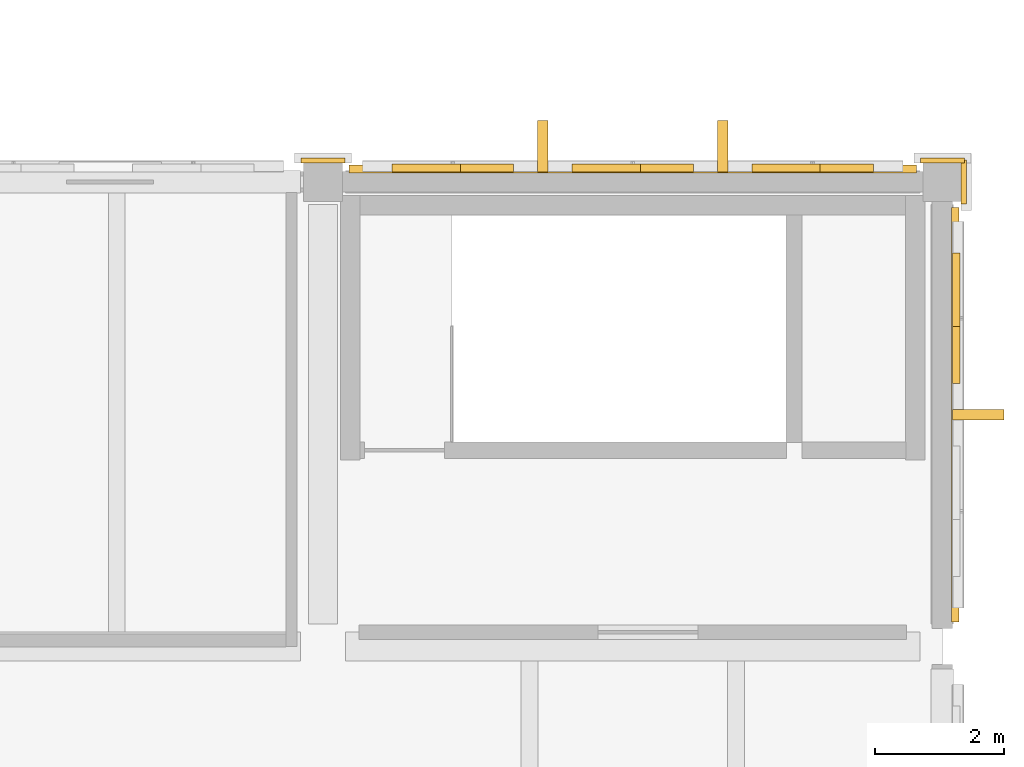
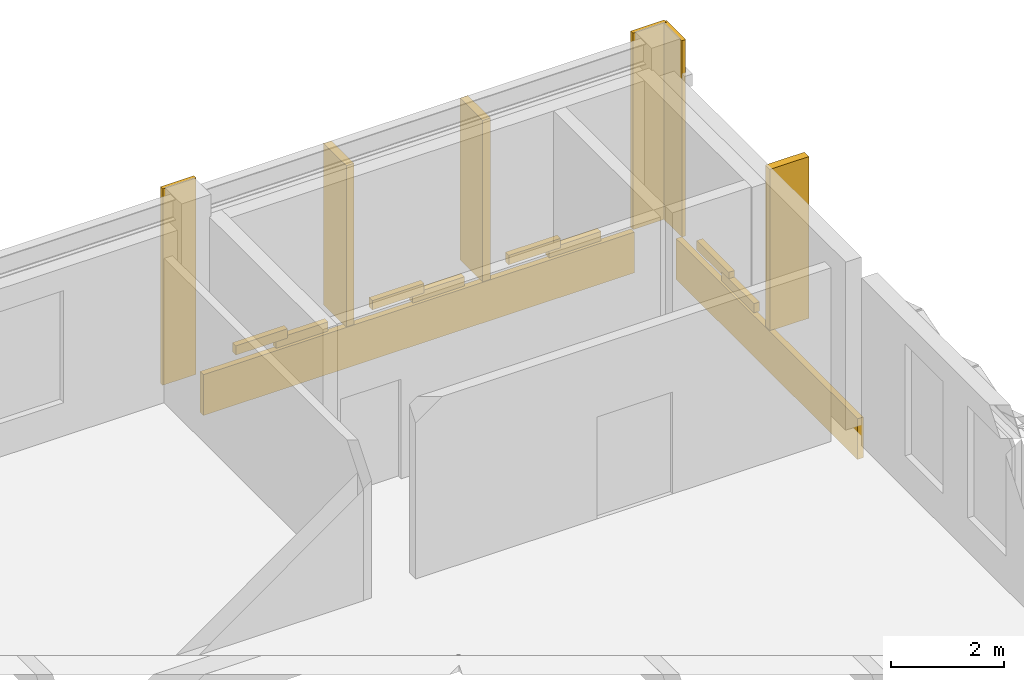
# One storey, part 179 of 180: 16 coverings.
"""IFC4 building model written with IfcOpenShell, lengths in metres."""

from ifc_helpers import new_model, si_unit, direction, frame, origin, origin_2d, place, context, subcontext, project, spatial, rectangle, extrude, material, layer, layer_set, type_object, element, save


model = new_model("IFC4")

# Units and contexts
model_context = context("Model", 3, precision=1e-05, world=origin(), true_north=direction((0.0, 1.0)))
body_context = subcontext(model_context, "Body", "Model", "MODEL_VIEW")
ifc_project = project(units=[si_unit("LENGTHUNIT", "METRE"), si_unit("AREAUNIT", "SQUARE_METRE"), si_unit("VOLUMEUNIT", "CUBIC_METRE"), si_unit("PLANEANGLEUNIT", "RADIAN"), si_unit("MASSUNIT", "GRAM", prefix="KILO")], contexts=[model_context])

# Site, building, storey
site_placement = place(None, origin())
site = spatial("IfcSite", under=ifc_project, at=site_placement, CompositionType="ELEMENT")
building_placement = place(site_placement, origin())
building = spatial("IfcBuilding", under=site, at=building_placement, Name="Asteropetra Specialist Clinic", CompositionType="ELEMENT")
storey_placement = place(building_placement, frame((0.0, 0.0, 4.419921875)))
storey = spatial("IfcBuildingStorey", under=building, at=storey_placement, Name="L01", CompositionType="ELEMENT", Elevation=4.419921875)

# Coverings
ifc_material_1 = material(Name="Chevron terracotta deep", Category="masonry")
ifc_layer_1 = layer(ifc_material_1, 0.1201171875)
ifc_layer_set_1 = layer_set([ifc_layer_1], Name="Chevron terracotta deep")
covering_type_1 = type_object("IfcCoveringType", Name="CLD-TER-DEEP", PredefinedType="CLADDING", material=ifc_layer_set_1)
covering_1_placement = place(storey_placement, frame((148.800048828125, 105.800048828125, -0.7998046875), z_axis=(0.0, 0.0, 1.0), x_axis=(1.0, 0.0, 0.0)))
element("IfcCovering", 1, at=covering_1_placement, inside=storey, type_object=covering_type_1, Name="Chevron Spandrel Band CV-1303", PredefinedType="CLADDING", context=body_context, shape_type="SweptSolid", body=[
    extrude(rectangle(XDim=8.800048828125, YDim=0.1201171875, at=origin_2d()), origin(), (0.0, 0.0, 1.0), 0.8798828125),
])
for number, where, z_axis, x_axis, name in (
    (2, (151.998779296875, 105.81494140625, 0.1201171875), (0.0, 0.0, 1.0), (1.0, 0.0, 0.0), "Chevron Ceramic Band CV-1304"),
    (3, (151.1748046875, 105.81494140625, 0.26025390625), (0.0, 0.0, 1.0), (1.0, 0.0, 0.0), "Chevron Ceramic Band CV-1305"),
    (4, (149.2119140625, 105.81494140625, 0.1201171875), (0.0, 0.0, 1.0), (1.0, 0.0, 0.0), "Chevron Ceramic Band CV-1306"),
    (5, (148.387939453125, 105.81494140625, 0.26025390625), (0.0, 0.0, 1.0), (1.0, 0.0, 0.0), "Chevron Ceramic Band CV-1307"),
    (6, (146.42529296875, 105.81494140625, 0.1201171875), (0.0, 0.0, 1.0), (1.0, 0.0, 0.0), "Chevron Ceramic Band CV-1308"),
    (7, (145.601318359375, 105.81494140625, 0.26025390625), (0.0, 0.0, 1.0), (1.0, 0.0, 0.0), "Chevron Ceramic Band CV-1309"),
):
    element("IfcCovering", number, at=place(storey_placement, frame(where, z_axis=z_axis, x_axis=x_axis)), inside=storey, type_object=covering_type_1, Name=name, PredefinedType="CLADDING", context=body_context, shape_type="SweptSolid", body=[
        extrude(rectangle(XDim=1.05908203125, YDim=0.1201171875, at=origin_2d()), origin(), (0.0, 0.0, 1.0), 0.199951171875),
    ])
covering_2_placement = place(storey_placement, frame((153.800048828125, 101.989990234375, -0.7998046875), z_axis=(0.0, 0.0, 1.0), x_axis=(1.0, 0.0, 0.0)))
element("IfcCovering", 8, at=covering_2_placement, inside=storey, type_object=covering_type_1, Name="Chevron Spandrel Band CV-1354", PredefinedType="CLADDING", context=body_context, shape_type="SweptSolid", body=[
    extrude(rectangle(XDim=0.1201171875, YDim=6.419921875, at=origin_2d()), origin(), (0.0, 0.0, 1.0), 0.8798828125),
])
for number, where, z_axis, x_axis, name in (
    (9, (153.81494140625, 103.04248046875, 0.1201171875), (0.0, 0.0, 1.0), (1.0, 0.0, 0.0), "Chevron Ceramic Band CV-1357"),
    (10, (153.81494140625, 103.927490234375, 0.26025390625), (0.0, 0.0, 1.0), (1.0, 0.0, 0.0), "Chevron Ceramic Band CV-1358"),
):
    element("IfcCovering", number, at=place(storey_placement, frame(where, z_axis=z_axis, x_axis=x_axis)), inside=storey, type_object=covering_type_1, Name=name, PredefinedType="CLADDING", context=body_context, shape_type="SweptSolid", body=[
        extrude(rectangle(XDim=0.1201171875, YDim=1.135986328125, at=origin_2d()), origin(), (0.0, 0.0, 1.0), 0.199951171875),
    ])
ifc_material_2 = material(Name="Pentelic marble ashlar", Category="masonry")
ifc_layer_2 = layer(ifc_material_2, 0.159912109375)
ifc_layer_set_2 = layer_set([ifc_layer_2], Name="Pentelic marble ashlar")
covering_type_2 = type_object("IfcCoveringType", Name="CRN-ENTAB-600", PredefinedType="MOLDING", material=ifc_layer_set_2)
for number, where, z_axis, x_axis, name in (
    (11, (144.0, 105.931884765625, 0.02001953125), (0.0, 0.0, 1.0), (1.0, 0.0, 0.0), "Neoclassical Pilaster Facing CM-0220"),
    (12, (153.60009765625, 105.931884765625, 0.02001953125), (0.0, 0.0, 1.0), (1.0, 0.0, 0.0), "Neoclassical Pilaster Facing CM-0229"),
):
    element("IfcCovering", number, at=place(storey_placement, frame(where, z_axis=z_axis, x_axis=x_axis)), inside=storey, type_object=covering_type_2, Name=name, PredefinedType="MOLDING", context=body_context, shape_type="SweptSolid", body=[
        extrude(rectangle(XDim=0.679931640625, YDim=0.080078125, at=origin_2d()), origin(), (0.0, 0.0, 1.0), 4.239990234375),
    ])
covering_3_placement = place(storey_placement, frame((153.931884765625, 105.60009765625, 0.02001953125), z_axis=(0.0, 0.0, 1.0), x_axis=(1.0, 0.0, 0.0)))
element("IfcCovering", 13, at=covering_3_placement, inside=storey, type_object=covering_type_2, Name="Neoclassical Pilaster Facing CM-0232", PredefinedType="MOLDING", context=body_context, shape_type="SweptSolid", body=[
    extrude(rectangle(XDim=0.080078125, YDim=0.679931640625, at=origin_2d()), origin(), (0.0, 0.0, 1.0), 4.239990234375),
])
ifc_material_3 = material(Name="Pentelic marble solar fin", Category="masonry")
ifc_layer_3 = layer(ifc_material_3, 0.080078125)
ifc_layer_set_3 = layer_set([ifc_layer_3], Name="Pentelic marble solar fin")
covering_type_3 = type_object("IfcCoveringType", Name="FIN-SOLAR-800", PredefinedType="MOLDING", material=ifc_layer_set_3)
for number, where, z_axis, x_axis, name in (
    (14, (150.193359375, 106.155029296875, 0.0703125), (0.0, 0.0, 1.0), (1.0, 0.0, 0.0), "Solar Shading Fin FN-0003"),
    (15, (147.40673828125, 106.155029296875, 0.0703125), (0.0, 0.0, 1.0), (1.0, 0.0, 0.0), "Solar Shading Fin FN-0004"),
):
    element("IfcCovering", number, at=place(storey_placement, frame(where, z_axis=z_axis, x_axis=x_axis)), inside=storey, type_object=covering_type_3, Name=name, PredefinedType="MOLDING", context=body_context, shape_type="SweptSolid", body=[
        extrude(rectangle(XDim=0.159912109375, YDim=0.800048828125, at=origin_2d()), origin(), (0.0, 0.0, 1.0), 3.489990234375),
    ])
covering_4_placement = place(storey_placement, frame((154.155029296875, 101.989990234375, 0.0703125), z_axis=(0.0, 0.0, 1.0), x_axis=(1.0, 0.0, 0.0)))
element("IfcCovering", 16, at=covering_4_placement, inside=storey, type_object=covering_type_3, Name="Solar Shading Fin FN-0007", PredefinedType="MOLDING", context=body_context, shape_type="SweptSolid", body=[
    extrude(rectangle(XDim=0.800048828125, YDim=0.159912109375, at=origin_2d()), origin(), (0.0, 0.0, 1.0), 3.489990234375),
])

save(model, "model.ifc")
